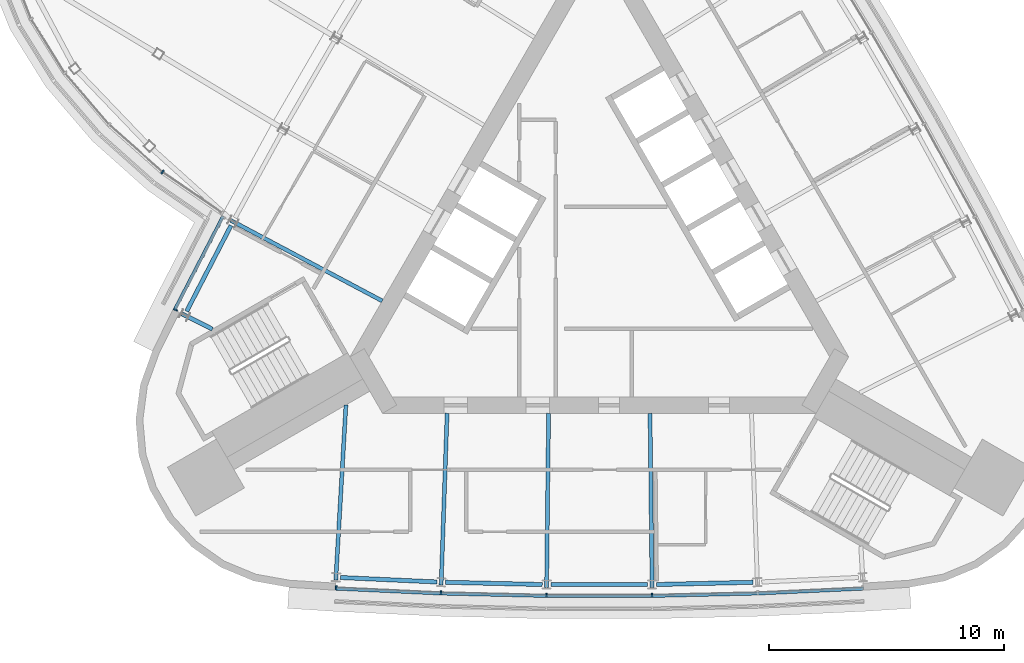
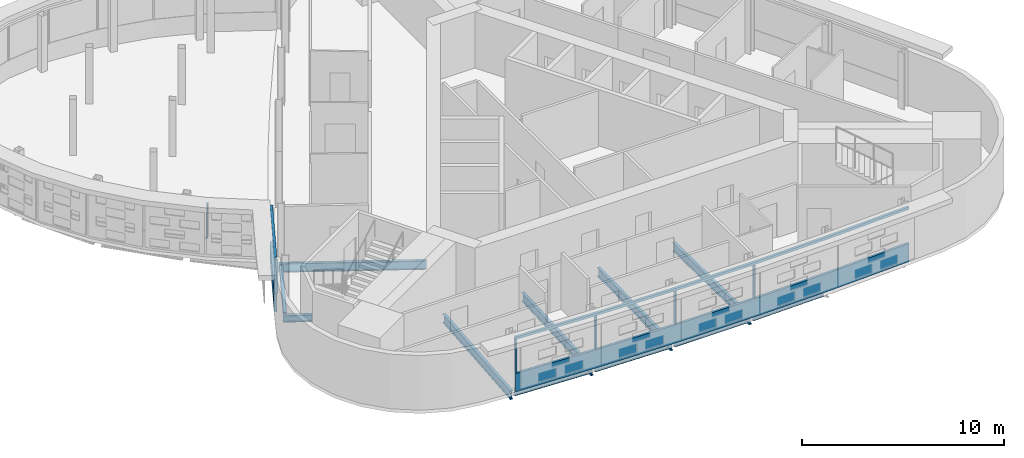
# One storey, part 4 of 13: 11 beams, 10 members, 3 elements without a shape of their own.
"""IFC4 building model written with IfcOpenShell, lengths in metres."""

from ifc_helpers import new_model, si_unit, direction, frame, origin, origin_2d, place, context, subcontext, project, spatial, polyline, rectangle, i_section, outline, extrude, material, material_profile, profile_set, type_object, element, aggregate, save


model = new_model("IFC4")

# Units and contexts
model_context = context("Model", 3, precision=1e-05, world=origin(), true_north=direction((0.0, 1.0)))
body_context = subcontext(model_context, "Body", "Model", "MODEL_VIEW")
ifc_project = project(units=[si_unit("LENGTHUNIT", "METRE"), si_unit("AREAUNIT", "SQUARE_METRE"), si_unit("VOLUMEUNIT", "CUBIC_METRE"), si_unit("PLANEANGLEUNIT", "RADIAN"), si_unit("MASSUNIT", "GRAM", prefix="KILO")], contexts=[model_context])

# Site, building, storey
site_placement = place(None, origin())
site = spatial("IfcSite", under=ifc_project, at=site_placement, CompositionType="ELEMENT")
building_placement = place(site_placement, origin())
building = spatial("IfcBuilding", under=site, at=building_placement, Name="Noor Cloister Tower", CompositionType="ELEMENT")
storey_placement = place(building_placement, frame((0.0, 0.0, 267.0)))
storey = spatial("IfcBuildingStorey", under=building, at=storey_placement, Name="L68", CompositionType="ELEMENT", Elevation=267.0)

# Curtain wall, member
ifc_material_1 = material(Name="Aluminium 6063-T6 anodised", Category="aluminium")
curtain_wall_type_1 = type_object("IfcCurtainWallType", Name="Ribbon curtain wall, upper tower CW5", PredefinedType="NOTDEFINED", material=ifc_material_1)
curtain_wall_1_placement = place(storey_placement, origin())
curtain_wall_1 = element("IfcCurtainWall", 1, at=curtain_wall_1_placement, inside=storey, type_object=curtain_wall_type_1, Name="CW5 L68 NW run 2", PredefinedType="NOTDEFINED")
ifc_material_2 = material(Name="Aluminium 6063-T6 anodised", Category="aluminium")
member_type_1 = type_object("IfcMemberType", Name="Head transom CW5 150", PredefinedType="USERDEFINED", material=ifc_material_2)
member_1_placement = place(storey_placement, frame((0.0, 0.0, 3.14990234375)))
member_1 = element("IfcMember", 2, at=member_1_placement, type_object=member_type_1, Name="CW5 head transom", ObjectType="TRANSOM", PredefinedType="USERDEFINED", context=body_context, shape_type="SweptSolid", body=[
    extrude(outline(polyline([(-16.078125, 1.489990234375), (-18.14501953125, -2.507080078125), (-18.0205078125, -2.5712890625), (-15.953857421875, 1.42578125), (-16.078125, 1.489990234375)])), origin(), (0.0, 0.0, 1.0), 0.150146484375),
])

curtain_wall_2_placement = place(storey_placement, origin())
curtain_wall_2 = element("IfcCurtainWall", 3, at=curtain_wall_2_placement, inside=storey, type_object=curtain_wall_type_1, Name="CW5 L68 S run 3", PredefinedType="NOTDEFINED")
member_2_placement = place(storey_placement, frame((0.0, 0.0, 3.14990234375)))
member_2 = element("IfcMember", 4, at=member_2_placement, type_object=member_type_1, Name="CW5 head transom", ObjectType="TRANSOM", PredefinedType="USERDEFINED", context=body_context, shape_type="SweptSolid", body=[
    extrude(outline(polyline([(-11.24365234375, -14.46044921875), (-6.74853515625, -14.669189453125), (-2.25, -14.7734375), (2.25, -14.7734375), (6.74853515625, -14.669189453125), (11.24365234375, -14.46044921875), (11.2373046875, -14.320556640625), (6.74365234375, -14.529296875), (2.248291015625, -14.633544921875), (-2.248291015625, -14.633544921875), (-6.74365234375, -14.529296875), (-11.2373046875, -14.320556640625), (-11.24365234375, -14.46044921875)])), origin(), (0.0, 0.0, 1.0), 0.150146484375),
])

# Member
ifc_material_3 = material(Name="Aluminium 6063-T6 anodised", Category="aluminium")
ifc_material_profile_1 = material_profile(ifc_material_3, rectangle(XDim=0.179931640625, YDim=0.070068359375, at=origin_2d()), Name="180 x 70 mullion")
ifc_profile_set_1 = profile_set([ifc_material_profile_1], Name="Aluminium 6063-T6 anodised")
member_type_2 = type_object("IfcMemberType", Name="Mullion CW5 70 x 180", PredefinedType="MULLION", material=ifc_profile_set_1)
member_3_placement = place(storey_placement, frame((-18.0400390625, -2.52197265625, 1.10009765625), z_axis=(0.0, 0.0, 1.0), x_axis=(0.888277980529, -0.459306247842, 0.0)))
member_3 = element("IfcMember", 5, at=member_3_placement, type_object=member_type_2, Name="CW5 mullion 2", PredefinedType="MULLION", context=body_context, shape_type="SweptSolid", body=[
    extrude(rectangle(XDim=0.179931640625, YDim=0.070068359375, at=origin_2d()), origin(), (0.0, 0.0, 1.0), 2.0498046875),
])

member_4_placement = place(storey_placement, frame((-11.2041015625, -14.3623046875, 1.10009765625), z_axis=(0.0, 0.0, 1.0), x_axis=(0.046368111516, 0.998924420682, 0.0)))
member_4 = element("IfcMember", 6, at=member_4_placement, type_object=member_type_2, Name="CW5 mullion 1", PredefinedType="MULLION", context=body_context, shape_type="SweptSolid", body=[
    extrude(rectangle(XDim=0.179931640625, YDim=0.070068359375, at=origin_2d()), origin(), (0.0, 0.0, 1.0), 2.0498046875),
])

member_5_placement = place(storey_placement, frame((-6.7451171875, -14.569091796875, 1.10009765625), z_axis=(0.0, 0.0, 1.0), x_axis=(0.034781531747, 0.999394939476, 0.0)))
member_5 = element("IfcMember", 7, at=member_5_placement, type_object=member_type_2, Name="CW5 mullion 2", PredefinedType="MULLION", context=body_context, shape_type="SweptSolid", body=[
    extrude(rectangle(XDim=0.179931640625, YDim=0.070068359375, at=origin_2d()), origin(), (0.0, 0.0, 1.0), 2.0498046875),
])

member_6_placement = place(storey_placement, frame((-2.248779296875, -14.673583984375, 1.10009765625), z_axis=(0.0, 0.0, 1.0), x_axis=(0.011595917099, 0.999932765093, 0.0)))
member_6 = element("IfcMember", 8, at=member_6_placement, type_object=member_type_2, Name="CW5 mullion 3", PredefinedType="MULLION", context=body_context, shape_type="SweptSolid", body=[
    extrude(rectangle(XDim=0.179931640625, YDim=0.070068359375, at=origin_2d()), origin(), (0.0, 0.0, 1.0), 2.0498046875),
])

member_7_placement = place(storey_placement, frame((2.248779296875, -14.673583984375, 1.10009765625), z_axis=(0.0, 0.0, 1.0), x_axis=(-0.011595917099, 0.999932765093, 0.0)))
member_7 = element("IfcMember", 9, at=member_7_placement, type_object=member_type_2, Name="CW5 mullion 4", PredefinedType="MULLION", context=body_context, shape_type="SweptSolid", body=[
    extrude(rectangle(XDim=0.179931640625, YDim=0.070068359375, at=origin_2d()), origin(), (0.0, 0.0, 1.0), 2.0498046875),
])

# Curtain wall, member
ifc_material_4 = material(Name="Aluminium 6063-T6 anodised", Category="aluminium")
curtain_wall_type_2 = type_object("IfcCurtainWallType", Name="Sky bar curtain wall, upper bars CW6", PredefinedType="NOTDEFINED", material=ifc_material_4)
curtain_wall_3_placement = place(storey_placement, origin())
curtain_wall_3 = element("IfcCurtainWall", 10, at=curtain_wall_3_placement, inside=storey, type_object=curtain_wall_type_2, Name="CW6 L68 NW sky bar run 1", PredefinedType="NOTDEFINED")
ifc_material_5 = material(Name="Aluminium 6063-T6 anodised", Category="aluminium")
ifc_material_profile_2 = material_profile(ifc_material_5, rectangle(XDim=0.179931640625, YDim=0.070068359375, at=origin_2d()), Name="180 x 70 mullion")
ifc_profile_set_2 = profile_set([ifc_material_profile_2], Name="Aluminium 6063-T6 anodised")
member_type_3 = type_object("IfcMemberType", Name="Mullion CW6 70 x 180", PredefinedType="MULLION", material=ifc_profile_set_2)
member_8_placement = place(storey_placement, frame((-18.594482421875, 3.339111328125, 1.10009765625), z_axis=(0.0, 0.0, 1.0), x_axis=(0.616644238859, 0.787241946724, 0.0)))
member_8 = element("IfcMember", 11, at=member_8_placement, type_object=member_type_3, Name="CW6 mullion 16", PredefinedType="MULLION", context=body_context, shape_type="SweptSolid", body=[
    extrude(rectangle(XDim=0.179931640625, YDim=0.070068359375, at=origin_2d()), origin(), (0.0, 0.0, 1.0), 2.0498046875),
])
aggregate(curtain_wall_3, [member_8])

# Beams
ifc_material_6 = material(Name="Steel ASTM A992 Gr 50", Category="steel")
ifc_material_profile_3 = material_profile(ifc_material_6, i_section(OverallWidth=0.177978515625, OverallDepth=0.406005859375, WebThickness=0.0078125, FlangeThickness=0.0126953125, FilletRadius=0.01025390625, at=origin_2d()), Name="W410x60")
ifc_profile_set_3 = profile_set([ifc_material_profile_3], Name="Steel ASTM A992 Gr 50")
beam_type_1 = type_object("IfcBeamType", Name="Radial beam W410x60", PredefinedType="BEAM", material=ifc_profile_set_3)
beam_1_placement = place(storey_placement, frame((-17.76025390625, -2.700439453125, -0.403076171875), z_axis=(0.893545786666, -0.448972078344, 0.0), x_axis=(0.448972078344, 0.893545786666, 0.0)))
element("IfcBeam", 12, at=beam_1_placement, inside=storey, type_object=beam_type_1, Name="Radial beam NW 06 L68", PredefinedType="BEAM", context=body_context, shape_type="SweptSolid", body=[
    extrude(i_section(OverallWidth=0.177978515625, OverallDepth=0.406005859375, WebThickness=0.0078125, FlangeThickness=0.0126953125, FilletRadius=0.01025390625, at=origin_2d()), origin(), (0.0, 0.0, 1.0), 1.443115234375),
])
ifc_material_7 = material(Name="Steel ASTM A992 Gr 50", Category="steel")
ifc_material_profile_4 = material_profile(ifc_material_7, i_section(OverallWidth=0.166015625, OverallDepth=0.528076171875, WebThickness=0.009765625, FlangeThickness=0.013671875, FilletRadius=0.0126953125, at=origin_2d()), Name="W530x74")
ifc_profile_set_4 = profile_set([ifc_material_profile_4], Name="Steel ASTM A992 Gr 50")
beam_type_2 = type_object("IfcBeamType", Name="Radial beam W530x74", PredefinedType="BEAM", material=ifc_profile_set_4)
beam_2_placement = place(storey_placement, frame((-15.697998046875, 1.287841796875, -0.464111328125), z_axis=(0.882903889785, -0.469553747085, 0.0), x_axis=(0.469553747085, 0.882903889785, 0.0)))
element("IfcBeam", 13, at=beam_2_placement, inside=storey, type_object=beam_type_2, Name="Radial beam NW 05 L68", PredefinedType="BEAM", context=body_context, shape_type="SweptSolid", body=[
    extrude(i_section(OverallWidth=0.166015625, OverallDepth=0.528076171875, WebThickness=0.009765625, FlangeThickness=0.013671875, FilletRadius=0.0126953125, at=origin_2d()), origin(), (0.0, 0.0, 1.0), 7.31494140625),
])
beam_3_placement = place(storey_placement, frame((-11.21875, -14.03076171875, -0.464111328125), z_axis=(0.057949858057, 0.998319494927, 0.0), x_axis=(-0.998319494927, 0.057949858057, 0.0)))
element("IfcBeam", 14, at=beam_3_placement, inside=storey, type_object=beam_type_2, Name="Radial beam S 01 L68", PredefinedType="BEAM", context=body_context, shape_type="SweptSolid", body=[
    extrude(i_section(OverallWidth=0.166015625, OverallDepth=0.528076171875, WebThickness=0.009765625, FlangeThickness=0.013671875, FilletRadius=0.0126953125, at=origin_2d()), origin(), (0.0, 0.0, 1.0), 7.469482421875),
])
beam_4_placement = place(storey_placement, frame((-6.733642578125, -14.23876953125, -0.464111328125), z_axis=(0.034777240267, 0.999395088821, 0.0), x_axis=(-0.999395088821, 0.034777240267, 0.0)))
element("IfcBeam", 15, at=beam_4_placement, inside=storey, type_object=beam_type_2, Name="Radial beam S 02 L68", PredefinedType="BEAM", context=body_context, shape_type="SweptSolid", body=[
    extrude(i_section(OverallWidth=0.166015625, OverallDepth=0.528076171875, WebThickness=0.009765625, FlangeThickness=0.013671875, FilletRadius=0.0126953125, at=origin_2d()), origin(), (0.0, 0.0, 1.0), 7.31494140625),
])
for number, where, z_axis, x_axis, name in (
    (16, (-2.244873046875, -14.343017578125, -0.464111328125), (0.011589225268, 0.999932842674, 0.0), (-0.999932842674, 0.011589225268, 0.0), "Radial beam S 03 L68"),
    (17, (2.244873046875, -14.343017578125, -0.464111328125), (-0.011589225268, 0.999932842674, 0.0), (-0.999932842674, -0.011589225268, 0.0), "Radial beam S 04 L68"),
):
    element("IfcBeam", number, at=place(storey_placement, frame(where, z_axis=z_axis, x_axis=x_axis)), inside=storey, type_object=beam_type_2, Name=name, PredefinedType="BEAM", context=body_context, shape_type="SweptSolid", body=[
        extrude(i_section(OverallWidth=0.166015625, OverallDepth=0.528076171875, WebThickness=0.009765625, FlangeThickness=0.013671875, FilletRadius=0.0126953125, at=origin_2d()), origin(), (0.0, 0.0, 1.0), 7.415283203125),
    ])

# Member
ifc_material_8 = material(Name="Aluminium 6063-T6 anodised", Category="aluminium")
member_type_4 = type_object("IfcMemberType", Name="Sill transom CW5 1100", PredefinedType="USERDEFINED", material=ifc_material_8)
member_9_placement = place(storey_placement, origin())
member_9 = element("IfcMember", 18, at=member_9_placement, type_object=member_type_4, Name="CW5 sill transom", ObjectType="TRANSOM", PredefinedType="USERDEFINED", context=body_context, shape_type="SweptSolid", body=[
    extrude(outline(polyline([(-16.078125, 1.489990234375), (-18.14501953125, -2.507080078125), (-18.0205078125, -2.5712890625), (-15.953857421875, 1.42578125), (-16.078125, 1.489990234375)])), origin(), (0.0, 0.0, 1.0), 1.10009765625),
])

aggregate(curtain_wall_1, [member_3, member_9, member_1])

member_10_placement = place(storey_placement, origin())
member_10 = element("IfcMember", 19, at=member_10_placement, type_object=member_type_4, Name="CW5 sill transom", ObjectType="TRANSOM", PredefinedType="USERDEFINED", context=body_context, shape_type="SweptSolid", body=[
    extrude(outline(polyline([(-11.24365234375, -14.46044921875), (-6.74853515625, -14.669189453125), (-2.25, -14.7734375), (2.25, -14.7734375), (6.74853515625, -14.669189453125), (11.24365234375, -14.46044921875), (11.2373046875, -14.320556640625), (6.74365234375, -14.529296875), (2.248291015625, -14.633544921875), (-2.248291015625, -14.633544921875), (-6.74365234375, -14.529296875), (-11.2373046875, -14.320556640625), (-11.24365234375, -14.46044921875)])), origin(), (0.0, 0.0, 1.0), 1.10009765625),
])

aggregate(curtain_wall_2, [member_4, member_5, member_6, member_7, member_10, member_2])

# Beams
ifc_material_9 = material(Name="Steel ASTM A992 Gr 50", Category="steel")
ifc_material_profile_5 = material_profile(ifc_material_9, i_section(OverallWidth=0.177978515625, OverallDepth=0.406005859375, WebThickness=0.0078125, FlangeThickness=0.0126953125, FilletRadius=0.01025390625, at=origin_2d()), Name="W410x60")
ifc_profile_set_5 = profile_set([ifc_material_profile_5], Name="Steel ASTM A992 Gr 50")
beam_type_3 = type_object("IfcBeamType", Name="Spandrel beam W410x60", PredefinedType="SPANDREL", material=ifc_profile_set_5)
beam_5_placement = place(storey_placement, frame((-15.677734375, 1.067138671875, -0.403076171875), z_axis=(-0.459295448048, -0.888283564749, 0.0), x_axis=(0.888283564749, -0.459295448048, 0.0)))
element("IfcBeam", 20, at=beam_5_placement, inside=storey, type_object=beam_type_3, Name="Spandrel beam NW 05 L68", PredefinedType="SPANDREL", context=body_context, shape_type="SweptSolid", body=[
    extrude(i_section(OverallWidth=0.177978515625, OverallDepth=0.406005859375, WebThickness=0.0078125, FlangeThickness=0.0126953125, FilletRadius=0.01025390625, at=origin_2d()), origin(), (0.0, 0.0, 1.0), 4.116455078125),
])
for number, where, z_axis, x_axis, name in (
    (21, (-11.026611328125, -13.919921875, -0.403076171875), (0.998923795857, -0.046381570381, 0.0), (0.046381570381, 0.998923795857, 0.0), "Spandrel beam S 01 L68"),
    (22, (-6.5439453125, -14.123779296875, -0.403076171875), (0.999731038099, -0.023191624794, 0.0), (0.023191624794, 0.999731038099, 0.0), "Spandrel beam S 02 L68"),
    (23, (-2.05810546875, -14.2236328125, -0.403076171875), (1.0, 0.0, 0.0), (0.0, 1.0, 0.0), "Spandrel beam S 03 L68"),
    (24, (2.428955078125, -14.21923828125, -0.403076171875), (0.999731038099, 0.023191624794, 0.0), (-0.023191624794, 0.999731038099, 0.0), "Spandrel beam S 04 L68"),
):
    element("IfcBeam", number, at=place(storey_placement, frame(where, z_axis=z_axis, x_axis=x_axis)), inside=storey, type_object=beam_type_3, Name=name, PredefinedType="SPANDREL", context=body_context, shape_type="SweptSolid", body=[
        extrude(i_section(OverallWidth=0.177978515625, OverallDepth=0.406005859375, WebThickness=0.0078125, FlangeThickness=0.0126953125, FilletRadius=0.01025390625, at=origin_2d()), origin(), (0.0, 0.0, 1.0), 4.1162109375),
    ])

save(model, "model.ifc")
